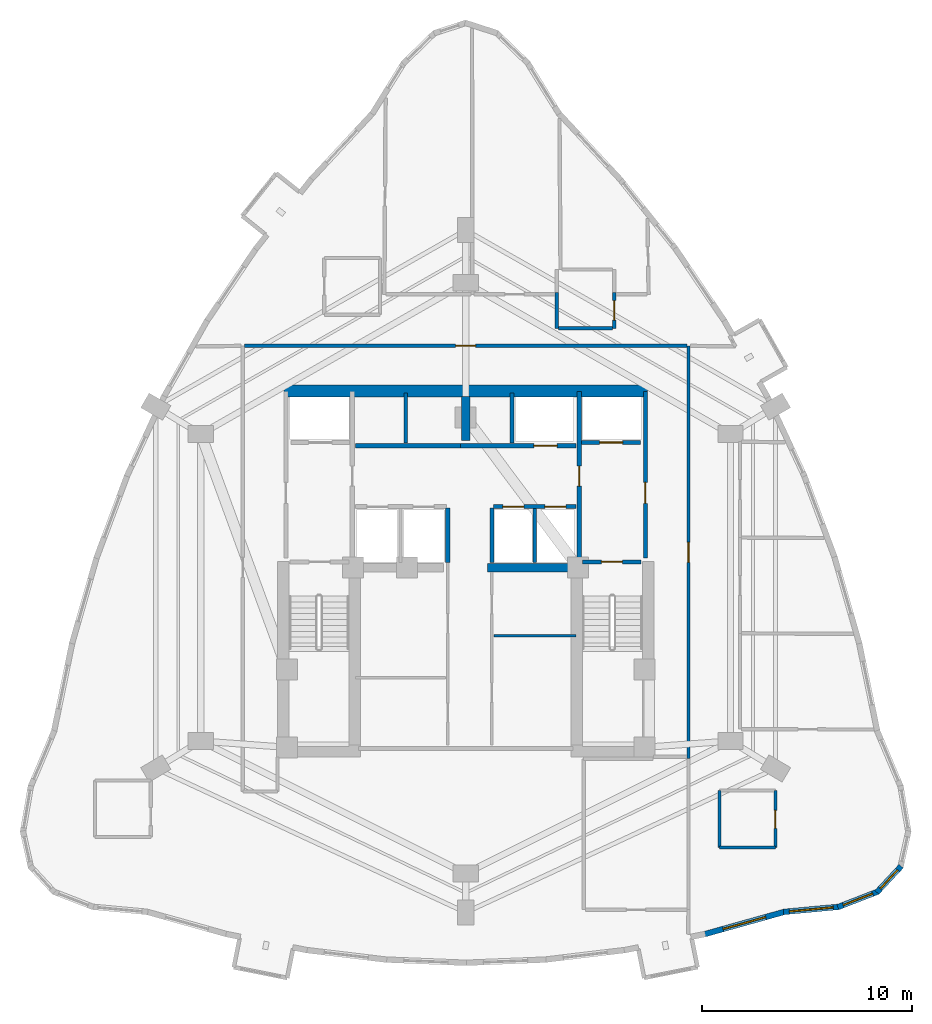
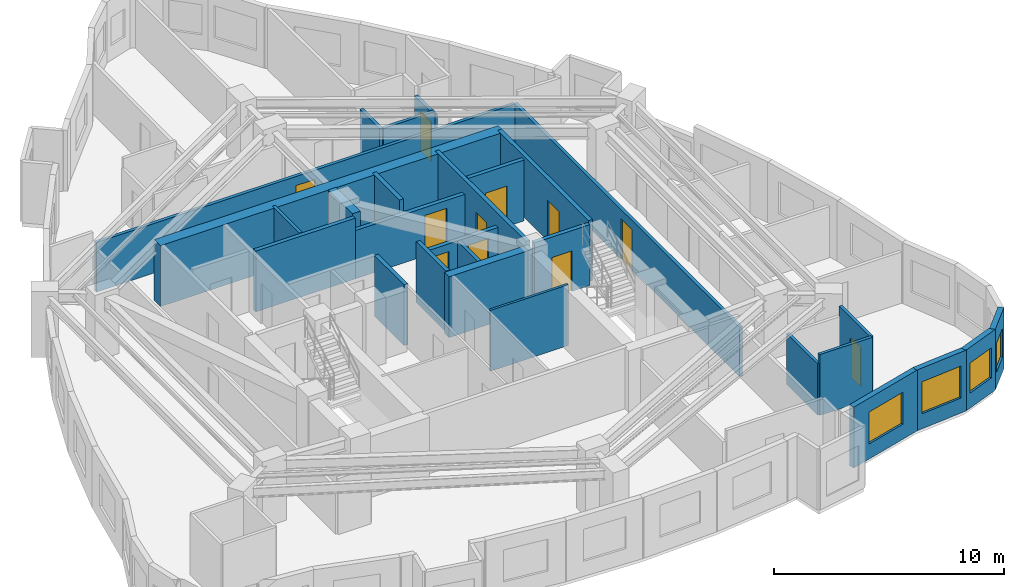
# One storey, part 5 of 8: 28 walls, 11 doors, 4 windows, 15 openings.
"""IFC4 building model written with IfcOpenShell, lengths in metres."""

from ifc_helpers import new_model, si_unit, direction, frame, frame_2d, origin, place, context, subcontext, project, spatial, rectangle, extrude, material, layer, layer_set, type_object, element, fill, save


model = new_model("IFC4")

# Units and contexts
model_context = context("Model", 3, precision=1e-05, world=origin(), true_north=direction((0.0, 1.0)))
body_context = subcontext(model_context, "Body", "Model", "MODEL_VIEW")
ifc_project = project(units=[si_unit("LENGTHUNIT", "METRE"), si_unit("AREAUNIT", "SQUARE_METRE"), si_unit("VOLUMEUNIT", "CUBIC_METRE"), si_unit("PLANEANGLEUNIT", "RADIAN"), si_unit("MASSUNIT", "GRAM", prefix="KILO")], contexts=[model_context])

# Site, building, storey
site_placement = place(None, origin())
site = spatial("IfcSite", under=ifc_project, at=site_placement, CompositionType="ELEMENT")
building_placement = place(site_placement, origin())
building = spatial("IfcBuilding", under=site, at=building_placement, Name="Miruveldt Soraemaru", CompositionType="ELEMENT")
storey_placement = place(building_placement, frame((0.0, 0.0, 177.39990234375)))
storey = spatial("IfcBuildingStorey", under=building, at=storey_placement, Name="L49", CompositionType="ELEMENT", Elevation=177.39990234375)

# Walls
ifc_material_1 = material(Name="Concrete C70/85 (70 MPa)", Category="concrete")
ifc_layer_1 = layer(ifc_material_1, 0.5, Name="Concrete C70/85 (70 MPa)", Category="concrete")
ifc_layer_set_1 = layer_set([ifc_layer_1], Name="Concrete C70/85 (70 MPa)")
wall_type_1 = type_object("IfcWallType", Name="WALL-BW-500", PredefinedType="SHEAR", material=ifc_layer_set_1)
wall_1_placement = place(storey_placement, frame((44.0, 50.10009765625, 0.0), z_axis=(0.0, 0.0, 1.0), x_axis=(0.0, 1.0, 0.0)))
element("IfcWall", 1, at=wall_1_placement, inside=storey, type_object=wall_type_1, Name="L49 Core Buttress Shear Wall BN", PredefinedType="SHEAR", context=body_context, shape_type="SweptSolid", body=[
    extrude(rectangle(XDim=2.099853515625, YDim=0.39990234375, at=frame_2d((1.0498046875, 0.0))), origin(), (0.0, 0.0, 1.0), 3.235107421875),
])
wall_2_placement = place(storey_placement, frame((45.050048828125, 44.050048828125, 0.0), z_axis=(0.0, 0.0, 1.0), x_axis=(1.0, 0.0, 0.0)))
element("IfcWall", 2, at=wall_2_placement, inside=storey, type_object=wall_type_1, Name="L49 Core Buttress Shear Wall BE", PredefinedType="SHEAR", context=body_context, shape_type="SweptSolid", body=[
    extrude(rectangle(XDim=4.199951171875, YDim=0.39990234375, at=frame_2d((2.10009765625, 0.0))), origin(), (0.0, 0.0, 1.0), 3.235107421875),
])
ifc_layer_2 = layer(ifc_material_1, 0.550048828125, Name="Concrete C70/85 (70 MPa)", Category="concrete")
ifc_layer_set_2 = layer_set([ifc_layer_2], Name="Concrete C70/85 (70 MPa)")
wall_type_2 = type_object("IfcWallType", Name="WALL-CW-550", PredefinedType="SHEAR", material=ifc_layer_set_2)
wall_3_placement = place(storey_placement, frame((35.35009765625, 52.449951171875, 0.0), z_axis=(0.0, 0.0, 1.0), x_axis=(1.0, 0.0, 0.0)))
element("IfcWall", 3, at=wall_3_placement, inside=storey, type_object=wall_type_2, Name="L49 Central Core Shear Wall N", PredefinedType="SHEAR", context=body_context, shape_type="SweptSolid", body=[
    extrude(rectangle(XDim=17.2998046875, YDim=0.550048828125, at=frame_2d((8.64990234375, 0.0))), origin(), (0.0, 0.0, 1.0), 3.235107421875),
])

# Wall, opening, window
ifc_material_2 = material(Name="Precast concrete C45/55 (45 MPa)", Category="concrete")
ifc_layer_3 = layer(ifc_material_2, 0.27001953125, Name="Precast concrete C45/55 (45 MPa)", Category="concrete")
ifc_layer_set_3 = layer_set([ifc_layer_3], Name="Precast concrete C45/55 (45 MPa)")
wall_type_3 = type_object("IfcWallType", Name="WALL-EXT-PC270", PredefinedType="SOLIDWALL", material=ifc_layer_set_3)
wall_4_placement = place(storey_placement, frame((55.330810546875, 26.601806640625, 0.0), z_axis=(0.0, 0.0, 1.0), x_axis=(0.962980483018, 0.269571121093, 0.0)))
wall_4 = element("IfcWall", 4, at=wall_4_placement, inside=storey, type_object=wall_type_3, Name="L49 Precast Concrete Facade Wall 28", PredefinedType="SOLIDWALL", context=body_context, shape_type="SweptSolid", body=[
    extrude(rectangle(XDim=4.00390625, YDim=0.27001953125, at=frame_2d((2.001953125, 0.0))), origin(), (0.0, 0.0, 1.0), 3.235107421875),
])
opening_1_placement = place(wall_4_placement, frame((0.951904296875, 0.0, 0.800048828125)))
opening_1 = element("IfcOpeningElement", 5, at=opening_1_placement, cuts=wall_4, Name="Opening WN-1", PredefinedType="OPENING", context=body_context, shape_type="SweptSolid", body=[
    extrude(rectangle(XDim=2.10009765625, YDim=1.699951171875, at=frame_2d((1.050048828125, 0.85009765625))), frame((0.0, 0.14501953125, 0.0), z_axis=(0.0, -1.0, 0.0), x_axis=(1.0, 0.0, 0.0)), (0.0, 0.0, 1.0), 0.2900390625),
])
ifc_material_3 = material(Name="Triple low-e insulated glazing", Category="glass")
window_type_1 = type_object("IfcWindowType", Name="WIN-PUNCH-2100x1700", PartitioningType="SINGLE_PANEL", PredefinedType="WINDOW", material=ifc_material_3)
window_1_placement = place(opening_1_placement, origin())
window_1 = element("IfcWindow", 6, at=window_1_placement, inside=storey, type_object=window_type_1, Name="L49 Punched Triple-Glazed Window 28.1", OverallHeight=1.699951171875, OverallWidth=2.10009765625, PartitioningType="SINGLE_PANEL", PredefinedType="WINDOW", context=body_context, shape_type="SweptSolid", body=[
    extrude(rectangle(XDim=2.10009765625, YDim=1.699951171875, at=frame_2d((1.050048828125, 0.85009765625))), frame((0.0, 0.030029296875, 0.0), z_axis=(0.0, -1.0, 0.0), x_axis=(1.0, 0.0, 0.0)), (0.0, 0.0, 1.0), 0.06005859375),
])
fill(opening_1, window_1)

wall_5_placement = place(storey_placement, frame((59.117919921875, 27.668701171875, 0.0), z_axis=(0.0, 0.0, 1.0), x_axis=(0.99576306711, 0.091956044829, 0.0)))
wall_5 = element("IfcWall", 7, at=wall_5_placement, inside=storey, type_object=wall_type_3, Name="L49 Precast Concrete Facade Wall 29", PredefinedType="SOLIDWALL", context=body_context, shape_type="SweptSolid", body=[
    extrude(rectangle(XDim=2.66552734375, YDim=0.27001953125, at=frame_2d((1.332763671875, 0.0))), origin(), (0.0, 0.0, 1.0), 3.235107421875),
])
opening_2_placement = place(wall_5_placement, frame((0.282958984375, 0.0, 0.800048828125)))
opening_2 = element("IfcOpeningElement", 8, at=opening_2_placement, cuts=wall_5, Name="Opening WN-1", PredefinedType="OPENING", context=body_context, shape_type="SweptSolid", body=[
    extrude(rectangle(XDim=2.10009765625, YDim=1.699951171875, at=frame_2d((1.050048828125, 0.85009765625))), frame((0.0, 0.14501953125, 0.0), z_axis=(0.0, -1.0, 0.0), x_axis=(1.0, 0.0, 0.0)), (0.0, 0.0, 1.0), 0.2900390625),
])
window_2_placement = place(opening_2_placement, origin())
window_2 = element("IfcWindow", 9, at=window_2_placement, inside=storey, type_object=window_type_1, Name="L49 Punched Triple-Glazed Window 29.1", OverallHeight=1.699951171875, OverallWidth=2.10009765625, PartitioningType="SINGLE_PANEL", PredefinedType="WINDOW", context=body_context, shape_type="SweptSolid", body=[
    extrude(rectangle(XDim=2.10009765625, YDim=1.699951171875, at=frame_2d((1.050048828125, 0.85009765625))), frame((0.0, 0.030029296875, 0.0), z_axis=(0.0, -1.0, 0.0), x_axis=(1.0, 0.0, 0.0)), (0.0, 0.0, 1.0), 0.06005859375),
])
fill(opening_2, window_2)

wall_6_placement = place(storey_placement, frame((61.70458984375, 27.89794921875, 0.0), z_axis=(0.0, 0.0, 1.0), x_axis=(0.93231051002, 0.361658834964, 0.0)))
wall_6 = element("IfcWall", 10, at=wall_6_placement, inside=storey, type_object=wall_type_3, Name="L49 Precast Concrete Facade Wall 30", PredefinedType="SOLIDWALL", context=body_context, shape_type="SweptSolid", body=[
    extrude(rectangle(XDim=2.050048828125, YDim=0.27001953125, at=frame_2d((1.02490234375, 0.0))), origin(), (0.0, 0.0, 1.0), 3.235107421875),
])
opening_3_placement = place(wall_6_placement, frame((0.27490234375, 0.0, 0.800048828125)))
opening_3 = element("IfcOpeningElement", 11, at=opening_3_placement, cuts=wall_6, Name="Opening WN-3", PredefinedType="OPENING", context=body_context, shape_type="SweptSolid", body=[
    extrude(rectangle(XDim=1.5, YDim=1.60009765625, at=frame_2d((0.75, 0.800048828125))), frame((0.0, 0.14501953125, 0.0), z_axis=(0.0, -1.0, 0.0), x_axis=(1.0, 0.0, 0.0)), (0.0, 0.0, 1.0), 0.2900390625),
])
window_type_2 = type_object("IfcWindowType", Name="WIN-PUNCH-1500x1600", PartitioningType="SINGLE_PANEL", PredefinedType="WINDOW", material=ifc_material_3)
window_3_placement = place(opening_3_placement, origin())
window_3 = element("IfcWindow", 12, at=window_3_placement, inside=storey, type_object=window_type_2, Name="L49 Punched Triple-Glazed Window 30.1", OverallHeight=1.60009765625, OverallWidth=1.5, PartitioningType="SINGLE_PANEL", PredefinedType="WINDOW", context=body_context, shape_type="SweptSolid", body=[
    extrude(rectangle(XDim=1.5, YDim=1.60009765625, at=frame_2d((0.75, 0.800048828125))), frame((0.0, 0.030029296875, 0.0), z_axis=(0.0, -1.0, 0.0), x_axis=(1.0, 0.0, 0.0)), (0.0, 0.0, 1.0), 0.06005859375),
])
fill(opening_3, window_3)

wall_7_placement = place(storey_placement, frame((63.5595703125, 28.60107421875, 0.0), z_axis=(0.0, 0.0, 1.0), x_axis=(0.680164360524, 0.73305964469, 0.0)))
wall_7 = element("IfcWall", 13, at=wall_7_placement, inside=storey, type_object=wall_type_3, Name="L49 Precast Concrete Facade Wall 31", PredefinedType="SOLIDWALL", context=body_context, shape_type="SweptSolid", body=[
    extrude(rectangle(XDim=1.698486328125, YDim=0.27001953125, at=frame_2d((0.84912109375, 0.0))), origin(), (0.0, 0.0, 1.0), 3.235107421875),
])
opening_4_placement = place(wall_7_placement, frame((0.2490234375, 0.0, 0.780029296875)))
opening_4 = element("IfcOpeningElement", 14, at=opening_4_placement, cuts=wall_7, Name="Opening WN-4", PredefinedType="OPENING", context=body_context, shape_type="SweptSolid", body=[
    extrude(rectangle(XDim=1.199951171875, YDim=1.550048828125, at=frame_2d((0.60009765625, 0.77490234375))), frame((0.0, 0.14501953125, 0.0), z_axis=(0.0, -1.0, 0.0), x_axis=(1.0, 0.0, 0.0)), (0.0, 0.0, 1.0), 0.2900390625),
])
window_type_3 = type_object("IfcWindowType", Name="WIN-PUNCH-1200x1550", PartitioningType="SINGLE_PANEL", PredefinedType="WINDOW", material=ifc_material_3)
window_4_placement = place(opening_4_placement, origin())
window_4 = element("IfcWindow", 15, at=window_4_placement, inside=storey, type_object=window_type_3, Name="L49 Punched Triple-Glazed Window 31.1", OverallHeight=1.550048828125, OverallWidth=1.199951171875, PartitioningType="SINGLE_PANEL", PredefinedType="WINDOW", context=body_context, shape_type="SweptSolid", body=[
    extrude(rectangle(XDim=1.199951171875, YDim=1.550048828125, at=frame_2d((0.60009765625, 0.77490234375))), frame((0.0, 0.030029296875, 0.0), z_axis=(0.0, -1.0, 0.0), x_axis=(1.0, 0.0, 0.0)), (0.0, 0.0, 1.0), 0.06005859375),
])
fill(opening_4, window_4)

# Wall
ifc_material_4 = material(Name="Gypsum plasterboard lining", Category="gypsum")
ifc_layer_4 = layer(ifc_material_4, 0.1201171875, Name="Gypsum plasterboard lining", Category="gypsum")
ifc_layer_set_4 = layer_set([ifc_layer_4], Name="Gypsum plasterboard lining")
wall_type_4 = type_object("IfcWallType", Name="WALL-INT-P120", PredefinedType="PARTITIONING", material=ifc_layer_set_4)
wall_8_placement = place(storey_placement, frame((45.35009765625, 40.800048828125, 0.0), z_axis=(0.0, 0.0, 1.0), x_axis=(1.0, 0.0, 0.0)))
element("IfcWall", 16, at=wall_8_placement, inside=storey, type_object=wall_type_4, Name="L49 Core Compartment Wall RL-E2H", PredefinedType="PARTITIONING", context=body_context, shape_type="SweptSolid", body=[
    extrude(rectangle(XDim=3.89990234375, YDim=0.1201171875, at=frame_2d((1.949951171875, 0.0))), origin(), (0.0, 0.0, 1.0), 3.235107421875),
])

# Wall, opening, door
ifc_layer_5 = layer(ifc_material_4, 0.14990234375, Name="Gypsum plasterboard lining", Category="gypsum")
ifc_layer_set_5 = layer_set([ifc_layer_5], Name="Gypsum plasterboard lining")
wall_type_5 = type_object("IfcWallType", Name="WALL-INT-PLUMB", PredefinedType="PLUMBINGWALL", material=ifc_layer_set_5)
wall_9_placement = place(storey_placement, frame((58.72998046875, 30.739013671875, 0.0), z_axis=(0.0, 0.0, 1.0), x_axis=(0.0, 1.0, 0.0)))
wall_9 = element("IfcWall", 17, at=wall_9_placement, inside=storey, type_object=wall_type_5, Name="L49 Partition Wall 31", PredefinedType="PLUMBINGWALL", context=body_context, shape_type="SweptSolid", body=[
    extrude(rectangle(XDim=2.699951171875, YDim=0.14990234375, at=frame_2d((1.35009765625, 0.0))), origin(), (0.0, 0.0, 1.0), 3.235107421875),
])
opening_5_placement = place(wall_9_placement, frame((0.909912109375, 0.0, 0.0)))
opening_5 = element("IfcOpeningElement", 18, at=opening_5_placement, cuts=wall_9, Name="Opening FD3", PredefinedType="OPENING", context=body_context, shape_type="SweptSolid", body=[
    extrude(rectangle(XDim=0.85009765625, YDim=2.10009765625, at=frame_2d((0.425048828125, 1.050048828125))), frame((0.0, 0.0849609375, 0.0), z_axis=(0.0, -1.0, 0.0), x_axis=(1.0, 0.0, 0.0)), (0.0, 0.0, 1.0), 0.169921875),
])
ifc_material_5 = material(Name="Anodised aluminium EN AW-6063 T6", Category="aluminium")
door_type_1 = type_object("IfcDoorType", Name="DOOR-FD3-850", OperationType="NOTDEFINED", PredefinedType="DOOR", material=ifc_material_5)
door_1_placement = place(opening_5_placement, origin())
door_1 = element("IfcDoor", 19, at=door_1_placement, inside=storey, type_object=door_type_1, Name="L49 Unit 4903 BTH Door", OperationType="SINGLE_SWING_RIGHT", OverallHeight=2.10009765625, OverallWidth=0.85009765625, PredefinedType="DOOR", context=body_context, shape_type="SweptSolid", body=[
    extrude(rectangle(XDim=0.85009765625, YDim=2.10009765625, at=frame_2d((0.425048828125, 1.050048828125))), frame((0.0, 0.02490234375, 0.0), z_axis=(0.0, -1.0, 0.0), x_axis=(1.0, 0.0, 0.0)), (0.0, 0.0, 1.0), 0.050048828125),
])
fill(opening_5, door_1)

# Walls
wall_10_placement = place(storey_placement, frame((56.080078125, 33.43896484375, 0.0), z_axis=(0.0, 0.0, 1.0), x_axis=(0.0, -1.0, 0.0)))
element("IfcWall", 20, at=wall_10_placement, inside=storey, type_object=wall_type_5, Name="L49 Partition Wall 33", PredefinedType="PLUMBINGWALL", context=body_context, shape_type="SweptSolid", body=[
    extrude(rectangle(XDim=2.699951171875, YDim=0.14990234375, at=frame_2d((1.35009765625, 0.0))), origin(), (0.0, 0.0, 1.0), 2.72314453125),
])
wall_11_placement = place(storey_placement, frame((56.080078125, 30.739013671875, 0.0), z_axis=(0.0, 0.0, 1.0), x_axis=(1.0, 0.0, 0.0)))
element("IfcWall", 21, at=wall_11_placement, inside=storey, type_object=wall_type_5, Name="L49 Partition Wall 34", PredefinedType="PLUMBINGWALL", context=body_context, shape_type="SweptSolid", body=[
    extrude(rectangle(XDim=2.64990234375, YDim=0.14990234375, at=frame_2d((1.324951171875, 0.0))), origin(), (0.0, 0.0, 1.0), 3.235107421875),
])

# Wall, opening, door
ifc_material_6 = material(Name="Concrete C40/50 (40 MPa)", Category="concrete")
ifc_layer_6 = layer(ifc_material_6, 0.159912109375, Name="Concrete C40/50 (40 MPa)", Category="concrete")
ifc_layer_set_6 = layer_set([ifc_layer_6], Name="Concrete C40/50 (40 MPa)")
wall_type_6 = type_object("IfcWallType", Name="WALL-INT-RC160", PredefinedType="SOLIDWALL", material=ifc_layer_set_6)
wall_12_placement = place(storey_placement, frame((54.52001953125, 54.60009765625, 0.0), z_axis=(0.0, 0.0, 1.0), x_axis=(-1.0, 0.0, 0.0)))
wall_12 = element("IfcWall", 22, at=wall_12_placement, inside=storey, type_object=wall_type_6, Name="L49 Partition Wall 1", PredefinedType="SOLIDWALL", context=body_context, shape_type="SweptSolid", body=[
    extrude(rectangle(XDim=21.0400390625, YDim=0.159912109375, at=frame_2d((10.52001953125, 0.0))), origin(), (0.0, 0.0, 1.0), 2.635009765625),
])
opening_6_placement = place(wall_12_placement, frame((10.044921875, 0.0, 0.0)))
opening_6 = element("IfcOpeningElement", 23, at=opening_6_placement, cuts=wall_12, Name="Opening FD2", PredefinedType="OPENING", context=body_context, shape_type="SweptSolid", body=[
    extrude(rectangle(XDim=0.949951171875, YDim=2.14990234375, at=frame_2d((0.47509765625, 1.074951171875))), frame((0.0, 0.08984375, 0.0), z_axis=(0.0, -1.0, 0.0), x_axis=(1.0, 0.0, 0.0)), (0.0, 0.0, 1.0), 0.179931640625),
])
door_type_2 = type_object("IfcDoorType", Name="DOOR-FD2-950", OperationType="NOTDEFINED", PredefinedType="DOOR", material=ifc_material_5)
door_2_placement = place(opening_6_placement, origin())
door_2 = element("IfcDoor", 24, at=door_2_placement, inside=storey, type_object=door_type_2, Name="L49 Unit 4901 Entrance Fire Door", OperationType="SINGLE_SWING_RIGHT", OverallHeight=2.14990234375, OverallWidth=0.949951171875, PredefinedType="DOOR", context=body_context, shape_type="SweptSolid", body=[
    extrude(rectangle(XDim=0.949951171875, YDim=2.14990234375, at=frame_2d((0.47509765625, 1.074951171875))), frame((0.0, 0.02490234375, 0.0), z_axis=(0.0, -1.0, 0.0), x_axis=(1.0, 0.0, 0.0)), (0.0, 0.0, 1.0), 0.050048828125),
])
fill(opening_6, door_2)

wall_13_placement = place(storey_placement, frame((54.60009765625, 34.9599609375, 0.0), z_axis=(0.0, 0.0, 1.0), x_axis=(0.0, 1.0, 0.0)))
wall_13 = element("IfcWall", 25, at=wall_13_placement, inside=storey, type_object=wall_type_6, Name="L49 Partition Wall 5", PredefinedType="SOLIDWALL", context=body_context, shape_type="SweptSolid", body=[
    extrude(rectangle(XDim=19.636962890625, YDim=0.159912109375, at=frame_2d((9.818359375, 0.0))), origin(), (0.0, 0.0, 1.0), 2.635009765625),
])
opening_7_placement = place(wall_13_placement, frame((9.343994140625, 0.0, 0.0)))
opening_7 = element("IfcOpeningElement", 26, at=opening_7_placement, cuts=wall_13, Name="Opening FD2", PredefinedType="OPENING", context=body_context, shape_type="SweptSolid", body=[
    extrude(rectangle(XDim=0.949951171875, YDim=2.14990234375, at=frame_2d((0.47509765625, 1.074951171875))), frame((0.0, 0.08984375, 0.0), z_axis=(0.0, -1.0, 0.0), x_axis=(1.0, 0.0, 0.0)), (0.0, 0.0, 1.0), 0.179931640625),
])
door_3_placement = place(opening_7_placement, origin())
door_3 = element("IfcDoor", 27, at=door_3_placement, inside=storey, type_object=door_type_2, Name="L49 Unit 4903 Entrance Fire Door", OperationType="SINGLE_SWING_LEFT", OverallHeight=2.14990234375, OverallWidth=0.949951171875, PredefinedType="DOOR", context=body_context, shape_type="SweptSolid", body=[
    extrude(rectangle(XDim=0.949951171875, YDim=2.14990234375, at=frame_2d((0.47509765625, 1.074951171875))), frame((0.0, 0.02490234375, 0.0), z_axis=(0.0, -1.0, 0.0), x_axis=(1.0, 0.0, 0.0)), (0.0, 0.0, 1.0), 0.050048828125),
])
fill(opening_7, door_3)

wall_14_placement = place(storey_placement, frame((51.074951171875, 55.429931640625, 0.0), z_axis=(0.0, 0.0, 1.0), x_axis=(0.0, 1.0, 0.0)))
wall_14 = element("IfcWall", 28, at=wall_14_placement, inside=storey, type_object=wall_type_6, Name="L49 Partition Wall 10", PredefinedType="SOLIDWALL", context=body_context, shape_type="SweptSolid", body=[
    extrude(rectangle(XDim=1.7099609375, YDim=0.159912109375, at=frame_2d((0.85498046875, 0.0))), origin(), (0.0, 0.0, 1.0), 2.72314453125),
])
opening_8_placement = place(wall_14_placement, frame((0.39501953125, 0.0, 0.0)))
opening_8 = element("IfcOpeningElement", 29, at=opening_8_placement, cuts=wall_14, Name="Opening D3A", PredefinedType="OPENING", context=body_context, shape_type="SweptSolid", body=[
    extrude(rectangle(XDim=0.919921875, YDim=2.10009765625, at=frame_2d((0.4599609375, 1.050048828125))), frame((0.0, 0.08984375, 0.0), z_axis=(0.0, -1.0, 0.0), x_axis=(1.0, 0.0, 0.0)), (0.0, 0.0, 1.0), 0.179931640625),
])
door_type_3 = type_object("IfcDoorType", Name="DOOR-INT-920", OperationType="NOTDEFINED", PredefinedType="DOOR", material=ifc_material_5)
door_4_placement = place(opening_8_placement, origin())
door_4 = element("IfcDoor", 30, at=door_4_placement, inside=storey, type_object=door_type_3, Name="L49 Unit 4901 KIT Door", OperationType="SINGLE_SWING_RIGHT", OverallHeight=2.10009765625, OverallWidth=0.919921875, PredefinedType="DOOR", context=body_context, shape_type="SweptSolid", body=[
    extrude(rectangle(XDim=0.919921875, YDim=2.10009765625, at=frame_2d((0.4599609375, 1.050048828125))), frame((0.0, 0.02490234375, 0.0), z_axis=(0.0, -1.0, 0.0), x_axis=(1.0, 0.0, 0.0)), (0.0, 0.0, 1.0), 0.050048828125),
])
fill(opening_8, door_4)

# Walls
wall_15_placement = place(storey_placement, frame((48.405029296875, 55.429931640625, 0.0), z_axis=(0.0, 0.0, 1.0), x_axis=(1.0, 0.0, 0.0)))
element("IfcWall", 31, at=wall_15_placement, inside=storey, type_object=wall_type_6, Name="L49 Partition Wall 12", PredefinedType="SOLIDWALL", context=body_context, shape_type="SweptSolid", body=[
    extrude(rectangle(XDim=2.590087890625, YDim=0.159912109375, at=frame_2d((1.294921875, 0.0))), origin(), (0.0, 0.0, 1.0), 2.97314453125),
])
wall_16_placement = place(storey_placement, frame((47.280029296875, 44.300048828125, 0.0), z_axis=(0.0, 0.0, 1.0), x_axis=(0.0, 1.0, 0.0)))
element("IfcWall", 32, at=wall_16_placement, inside=storey, type_object=wall_type_6, Name="L49 Core Compartment Wall PLM-DE", PredefinedType="SOLIDWALL", context=body_context, shape_type="SweptSolid", body=[
    extrude(rectangle(XDim=2.550048828125, YDim=0.159912109375, at=frame_2d((1.27490234375, 0.0))), origin(), (0.0, 0.0, 1.0), 2.572998046875),
])
wall_17_placement = place(storey_placement, frame((41.14990234375, 49.97998046875, 0.0), z_axis=(0.0, 0.0, 1.0), x_axis=(0.0, 1.0, 0.0)))
element("IfcWall", 33, at=wall_17_placement, inside=storey, type_object=wall_type_6, Name="L49 Core Compartment Wall PLH-DIV1", PredefinedType="SOLIDWALL", context=body_context, shape_type="SweptSolid", body=[
    extrude(rectangle(XDim=2.3701171875, YDim=0.159912109375, at=frame_2d((1.18505859375, 0.0))), origin(), (0.0, 0.0, 1.0), 3.235107421875),
])
wall_18_placement = place(storey_placement, frame((48.324951171875, 57.139892578125, 0.0), z_axis=(0.0, 0.0, 1.0), x_axis=(0.0, -1.0, 0.0)))
element("IfcWall", 34, at=wall_18_placement, inside=storey, type_object=wall_type_6, Name="L49 Partition Wall 11", PredefinedType="SOLIDWALL", context=body_context, shape_type="SweptSolid", body=[
    extrude(rectangle(XDim=1.7099609375, YDim=0.159912109375, at=frame_2d((0.85498046875, 0.0))), origin(), (0.0, 0.0, 1.0), 2.97314453125),
])

# Wall, opening, door
ifc_layer_7 = layer(ifc_material_6, 0.199951171875, Name="Concrete C40/50 (40 MPa)", Category="concrete")
ifc_layer_set_7 = layer_set([ifc_layer_7], Name="Concrete C40/50 (40 MPa)")
wall_type_7 = type_object("IfcWallType", Name="WALL-INT-RC200", PredefinedType="SOLIDWALL", material=ifc_layer_set_7)
wall_19_placement = place(storey_placement, frame((52.550048828125, 44.5, 0.0), z_axis=(0.0, 0.0, 1.0), x_axis=(0.0, 1.0, 0.0)))
wall_19 = element("IfcWall", 35, at=wall_19_placement, inside=storey, type_object=wall_type_7, Name="L49 Core Compartment Wall FFE-OUT", PredefinedType="SOLIDWALL", context=body_context, shape_type="SweptSolid", body=[
    extrude(rectangle(XDim=7.919921875, YDim=0.199951171875, at=frame_2d((3.9599609375, 0.0))), origin(), (0.0, 0.0, 1.0), 3.235107421875),
])
opening_9_placement = place(wall_19_placement, frame((2.60009765625, 0.0, 0.0)))
opening_9 = element("IfcOpeningElement", 36, at=opening_9_placement, cuts=wall_19, Name="Opening FD1", PredefinedType="OPENING", context=body_context, shape_type="SweptSolid", body=[
    extrude(rectangle(XDim=1.0, YDim=2.14990234375, at=frame_2d((0.5, 1.074951171875))), frame((0.0, 0.10986328125, 0.0), z_axis=(0.0, -1.0, 0.0), x_axis=(1.0, 0.0, 0.0)), (0.0, 0.0, 1.0), 0.219970703125),
])
door_type_4 = type_object("IfcDoorType", Name="DOOR-FD1-1000", OperationType="NOTDEFINED", PredefinedType="DOOR", material=ifc_material_5)
door_5_placement = place(opening_9_placement, frame((1.0, 0.0, 0.0), z_axis=(0.0, 0.0, 1.0), x_axis=(-1.0, 0.0, 0.0)))
door_5 = element("IfcDoor", 37, at=door_5_placement, inside=storey, type_object=door_type_4, Name="L49 East Firefighting Lobby Exit Door", OperationType="SINGLE_SWING_RIGHT", OverallHeight=2.14990234375, OverallWidth=1.0, PredefinedType="DOOR", context=body_context, shape_type="SweptSolid", body=[
    extrude(rectangle(XDim=1.0, YDim=2.14990234375, at=frame_2d((0.5, 1.074951171875))), frame((0.0, 0.02490234375, 0.0), z_axis=(0.0, -1.0, 0.0), x_axis=(1.0, 0.0, 0.0)), (0.0, 0.0, 1.0), 0.050048828125),
])
fill(opening_9, door_5)

wall_20_placement = place(storey_placement, frame((49.39990234375, 44.5, 0.0), z_axis=(0.0, 0.0, 1.0), x_axis=(0.0, 1.0, 0.0)))
wall_20 = element("IfcWall", 38, at=wall_20_placement, inside=storey, type_object=wall_type_7, Name="L49 Core Compartment Wall FFE-IN", PredefinedType="SOLIDWALL", context=body_context, shape_type="SweptSolid", body=[
    extrude(rectangle(XDim=7.919921875, YDim=0.199951171875, at=frame_2d((3.9599609375, 0.0))), origin(), (0.0, 0.0, 1.0), 3.235107421875),
])
opening_10_placement = place(wall_20_placement, frame((3.425048828125, 0.0, 0.0)))
opening_10 = element("IfcOpeningElement", 39, at=opening_10_placement, cuts=wall_20, Name="Opening FD2", PredefinedType="OPENING", context=body_context, shape_type="SweptSolid", body=[
    extrude(rectangle(XDim=0.949951171875, YDim=2.14990234375, at=frame_2d((0.47509765625, 1.074951171875))), frame((0.0, 0.10986328125, 0.0), z_axis=(0.0, -1.0, 0.0), x_axis=(1.0, 0.0, 0.0)), (0.0, 0.0, 1.0), 0.219970703125),
])
door_6_placement = place(opening_10_placement, origin())
door_6 = element("IfcDoor", 40, at=door_6_placement, inside=storey, type_object=door_type_2, Name="L49 Lift Lobby to East Fire Lobby Door", OperationType="SINGLE_SWING_LEFT", OverallHeight=2.14990234375, OverallWidth=0.949951171875, PredefinedType="DOOR", context=body_context, shape_type="SweptSolid", body=[
    extrude(rectangle(XDim=0.949951171875, YDim=2.14990234375, at=frame_2d((0.47509765625, 1.074951171875))), frame((0.0, 0.02490234375, 0.0), z_axis=(0.0, -1.0, 0.0), x_axis=(1.0, 0.0, 0.0)), (0.0, 0.0, 1.0), 0.050048828125),
])
fill(opening_10, door_6)

wall_21_placement = place(storey_placement, frame((43.75, 49.85009765625, 0.0), z_axis=(0.0, 0.0, 1.0), x_axis=(1.0, 0.0, 0.0)))
wall_21 = element("IfcWall", 41, at=wall_21_placement, inside=storey, type_object=wall_type_7, Name="L49 Core Compartment Wall ROWA-SE", PredefinedType="SOLIDWALL", context=body_context, shape_type="SweptSolid", body=[
    extrude(rectangle(XDim=5.5, YDim=0.199951171875, at=frame_2d((2.75, 0.0))), origin(), (0.0, 0.0, 1.0), 2.572998046875),
])
opening_11_placement = place(wall_21_placement, frame((3.5, 0.0, 0.0)))
opening_11 = element("IfcOpeningElement", 42, at=opening_11_placement, cuts=wall_21, Name="Opening LD2", PredefinedType="OPENING", context=body_context, shape_type="SweptSolid", body=[
    extrude(rectangle(XDim=1.10009765625, YDim=2.14990234375, at=frame_2d((0.550048828125, 1.074951171875))), frame((0.0, 0.10986328125, 0.0), z_axis=(0.0, -1.0, 0.0), x_axis=(1.0, 0.0, 0.0)), (0.0, 0.0, 1.0), 0.219970703125),
])
door_type_5 = type_object("IfcDoorType", Name="DOOR-LD2-1100", OperationType="SLIDING_TO_LEFT", PredefinedType="DOOR", material=ifc_material_5)
door_7_placement = place(opening_11_placement, origin())
door_7 = element("IfcDoor", 43, at=door_7_placement, inside=storey, type_object=door_type_5, Name="L49 SL-1 Landing Door", OperationType="SLIDING_TO_LEFT", OverallHeight=2.14990234375, OverallWidth=1.10009765625, PredefinedType="DOOR", context=body_context, shape_type="SweptSolid", body=[
    extrude(rectangle(XDim=1.10009765625, YDim=2.14990234375, at=frame_2d((0.550048828125, 1.074951171875))), frame((0.0, 0.02490234375, 0.0), z_axis=(0.0, -1.0, 0.0), x_axis=(1.0, 0.0, 0.0)), (0.0, 0.0, 1.0), 0.050048828125),
])
fill(opening_11, door_7)

# Wall, openings, doors
wall_22_placement = place(storey_placement, frame((45.320068359375, 46.949951171875, 0.0), z_axis=(0.0, 0.0, 1.0), x_axis=(1.0, 0.0, 0.0)))
wall_22 = element("IfcWall", 44, at=wall_22_placement, inside=storey, type_object=wall_type_7, Name="L49 Core Compartment Wall MBE-N", PredefinedType="SOLIDWALL", context=body_context, shape_type="SweptSolid", body=[
    extrude(rectangle(XDim=3.929931640625, YDim=0.199951171875, at=frame_2d((1.96484375, 0.0))), origin(), (0.0, 0.0, 1.0), 2.572998046875),
])
opening_12_placement = place(wall_22_placement, frame((0.449951171875, 0.0, 0.0)))
opening_12 = element("IfcOpeningElement", 45, at=opening_12_placement, cuts=wall_22, Name="Opening LD1B", PredefinedType="OPENING", context=body_context, shape_type="SweptSolid", body=[
    extrude(rectangle(XDim=1.0, YDim=2.14990234375, at=frame_2d((0.5, 1.074951171875))), frame((0.0, 0.10986328125, 0.0), z_axis=(0.0, -1.0, 0.0), x_axis=(1.0, 0.0, 0.0)), (0.0, 0.0, 1.0), 0.219970703125),
])
opening_13_placement = place(wall_22_placement, frame((2.449951171875, 0.0, 0.0)))
opening_13 = element("IfcOpeningElement", 46, at=opening_13_placement, cuts=wall_22, Name="Opening LD1B", PredefinedType="OPENING", context=body_context, shape_type="SweptSolid", body=[
    extrude(rectangle(XDim=1.0, YDim=2.14990234375, at=frame_2d((0.5, 1.074951171875))), frame((0.0, 0.10986328125, 0.0), z_axis=(0.0, -1.0, 0.0), x_axis=(1.0, 0.0, 0.0)), (0.0, 0.0, 1.0), 0.219970703125),
])
door_type_6 = type_object("IfcDoorType", Name="DOOR-LD1-1000", OperationType="SLIDING_TO_LEFT", PredefinedType="DOOR", material=ifc_material_5)
door_8_placement = place(opening_12_placement, origin())
door_8 = element("IfcDoor", 47, at=door_8_placement, inside=storey, type_object=door_type_6, Name="L49 PL-M3 Landing Door", OperationType="SLIDING_TO_LEFT", OverallHeight=2.14990234375, OverallWidth=1.0, PredefinedType="DOOR", context=body_context, shape_type="SweptSolid", body=[
    extrude(rectangle(XDim=1.0, YDim=2.14990234375, at=frame_2d((0.5, 1.074951171875))), frame((0.0, 0.02490234375, 0.0), z_axis=(0.0, -1.0, 0.0), x_axis=(1.0, 0.0, 0.0)), (0.0, 0.0, 1.0), 0.050048828125),
])
fill(opening_12, door_8)
door_9_placement = place(opening_13_placement, origin())
door_9 = element("IfcDoor", 48, at=door_9_placement, inside=storey, type_object=door_type_6, Name="L49 PL-M4 Landing Door", OperationType="SLIDING_TO_LEFT", OverallHeight=2.14990234375, OverallWidth=1.0, PredefinedType="DOOR", context=body_context, shape_type="SweptSolid", body=[
    extrude(rectangle(XDim=1.0, YDim=2.14990234375, at=frame_2d((0.5, 1.074951171875))), frame((0.0, 0.02490234375, 0.0), z_axis=(0.0, -1.0, 0.0), x_axis=(1.0, 0.0, 0.0)), (0.0, 0.0, 1.0), 0.050048828125),
])
fill(opening_13, door_9)

# Wall, opening, door
wall_23_placement = place(storey_placement, frame((49.550048828125, 44.320068359375, 0.0), z_axis=(0.0, 0.0, 1.0), x_axis=(1.0, 0.0, 0.0)))
wall_23 = element("IfcWall", 49, at=wall_23_placement, inside=storey, type_object=wall_type_7, Name="L49 Core Compartment Wall ST2-N", PredefinedType="SOLIDWALL", context=body_context, shape_type="SweptSolid", body=[
    extrude(rectangle(XDim=2.800048828125, YDim=0.199951171875, at=frame_2d((1.39990234375, 0.0))), origin(), (0.0, 0.0, 1.0), 3.235107421875),
])
opening_14_placement = place(wall_23_placement, frame((0.89990234375, 0.0, 0.0)))
opening_14 = element("IfcOpeningElement", 50, at=opening_14_placement, cuts=wall_23, Name="Opening FD1", PredefinedType="OPENING", context=body_context, shape_type="SweptSolid", body=[
    extrude(rectangle(XDim=1.0, YDim=2.14990234375, at=frame_2d((0.5, 1.074951171875))), frame((0.0, 0.10986328125, 0.0), z_axis=(0.0, -1.0, 0.0), x_axis=(1.0, 0.0, 0.0)), (0.0, 0.0, 1.0), 0.219970703125),
])
door_10_placement = place(opening_14_placement, frame((1.0, 0.0, 0.0), z_axis=(0.0, 0.0, 1.0), x_axis=(-1.0, 0.0, 0.0)))
door_10 = element("IfcDoor", 51, at=door_10_placement, inside=storey, type_object=door_type_4, Name="L49 Stair ST-2 Fire Door", OperationType="SINGLE_SWING_RIGHT", OverallHeight=2.14990234375, OverallWidth=1.0, PredefinedType="DOOR", context=body_context, shape_type="SweptSolid", body=[
    extrude(rectangle(XDim=1.0, YDim=2.14990234375, at=frame_2d((0.5, 1.074951171875))), frame((0.0, 0.02490234375, 0.0), z_axis=(0.0, -1.0, 0.0), x_axis=(1.0, 0.0, 0.0)), (0.0, 0.0, 1.0), 0.050048828125),
])
fill(opening_14, door_10)

wall_24_placement = place(storey_placement, frame((49.52001953125, 50.0, 0.0), z_axis=(0.0, 0.0, 1.0), x_axis=(1.0, 0.0, 0.0)))
wall_24 = element("IfcWall", 52, at=wall_24_placement, inside=storey, type_object=wall_type_7, Name="L49 Core Compartment Wall FFL2-S", PredefinedType="SOLIDWALL", context=body_context, shape_type="SweptSolid", body=[
    extrude(rectangle(XDim=2.800048828125, YDim=0.199951171875, at=frame_2d((1.39990234375, 0.0))), origin(), (0.0, 0.0, 1.0), 3.235107421875),
])
opening_15_placement = place(wall_24_placement, frame((0.85009765625, 0.0, 0.0)))
opening_15 = element("IfcOpeningElement", 53, at=opening_15_placement, cuts=wall_24, Name="Opening LD2", PredefinedType="OPENING", context=body_context, shape_type="SweptSolid", body=[
    extrude(rectangle(XDim=1.10009765625, YDim=2.14990234375, at=frame_2d((0.550048828125, 1.074951171875))), frame((0.0, 0.10986328125, 0.0), z_axis=(0.0, -1.0, 0.0), x_axis=(1.0, 0.0, 0.0)), (0.0, 0.0, 1.0), 0.219970703125),
])
door_11_placement = place(opening_15_placement, origin())
door_11 = element("IfcDoor", 54, at=door_11_placement, inside=storey, type_object=door_type_5, Name="L49 FFL-2 Landing Door", OperationType="SLIDING_TO_LEFT", OverallHeight=2.14990234375, OverallWidth=1.10009765625, PredefinedType="DOOR", context=body_context, shape_type="SweptSolid", body=[
    extrude(rectangle(XDim=1.10009765625, YDim=2.14990234375, at=frame_2d((0.550048828125, 1.074951171875))), frame((0.0, 0.02490234375, 0.0), z_axis=(0.0, -1.0, 0.0), x_axis=(1.0, 0.0, 0.0)), (0.0, 0.0, 1.0), 0.050048828125),
])
fill(opening_15, door_11)

# Walls
wall_25_placement = place(storey_placement, frame((38.75, 49.85009765625, 0.0), z_axis=(0.0, 0.0, 1.0), x_axis=(1.0, 0.0, 0.0)))
element("IfcWall", 55, at=wall_25_placement, inside=storey, type_object=wall_type_7, Name="L49 Core Compartment Wall ROWA-SW", PredefinedType="SOLIDWALL", context=body_context, shape_type="SweptSolid", body=[
    extrude(rectangle(XDim=5.0, YDim=0.199951171875, at=frame_2d((2.5, 0.0))), origin(), (0.0, 0.0, 1.0), 3.235107421875),
])
for number, where, z_axis, x_axis, name in (
    (56, (43.14990234375, 44.300048828125, 0.0), (0.0, 0.0, 1.0), (0.0, 1.0, 0.0), "L49 Core Compartment Wall SP-WB"),
    (57, (45.25, 44.300048828125, 0.0), (0.0, 0.0, 1.0), (0.0, 1.0, 0.0), "L49 Core Compartment Wall SP-EB"),
):
    element("IfcWall", number, at=place(storey_placement, frame(where, z_axis=z_axis, x_axis=x_axis)), inside=storey, type_object=wall_type_7, Name=name, PredefinedType="SOLIDWALL", context=body_context, shape_type="SweptSolid", body=[
        extrude(rectangle(XDim=2.579833984375, YDim=0.199951171875, at=frame_2d((1.2900390625, 0.0))), origin(), (0.0, 0.0, 1.0), 3.235107421875),
    ])
wall_26_placement = place(storey_placement, frame((46.199951171875, 49.97998046875, 0.0), z_axis=(0.0, 0.0, 1.0), x_axis=(0.0, 1.0, 0.0)))
element("IfcWall", 58, at=wall_26_placement, inside=storey, type_object=wall_type_7, Name="L49 Core Compartment Wall PLH-SL-DIV", PredefinedType="SOLIDWALL", context=body_context, shape_type="SweptSolid", body=[
    extrude(rectangle(XDim=2.3701171875, YDim=0.199951171875, at=frame_2d((1.18505859375, 0.0))), origin(), (0.0, 0.0, 1.0), 3.235107421875),
])

save(model, "model.ifc")
